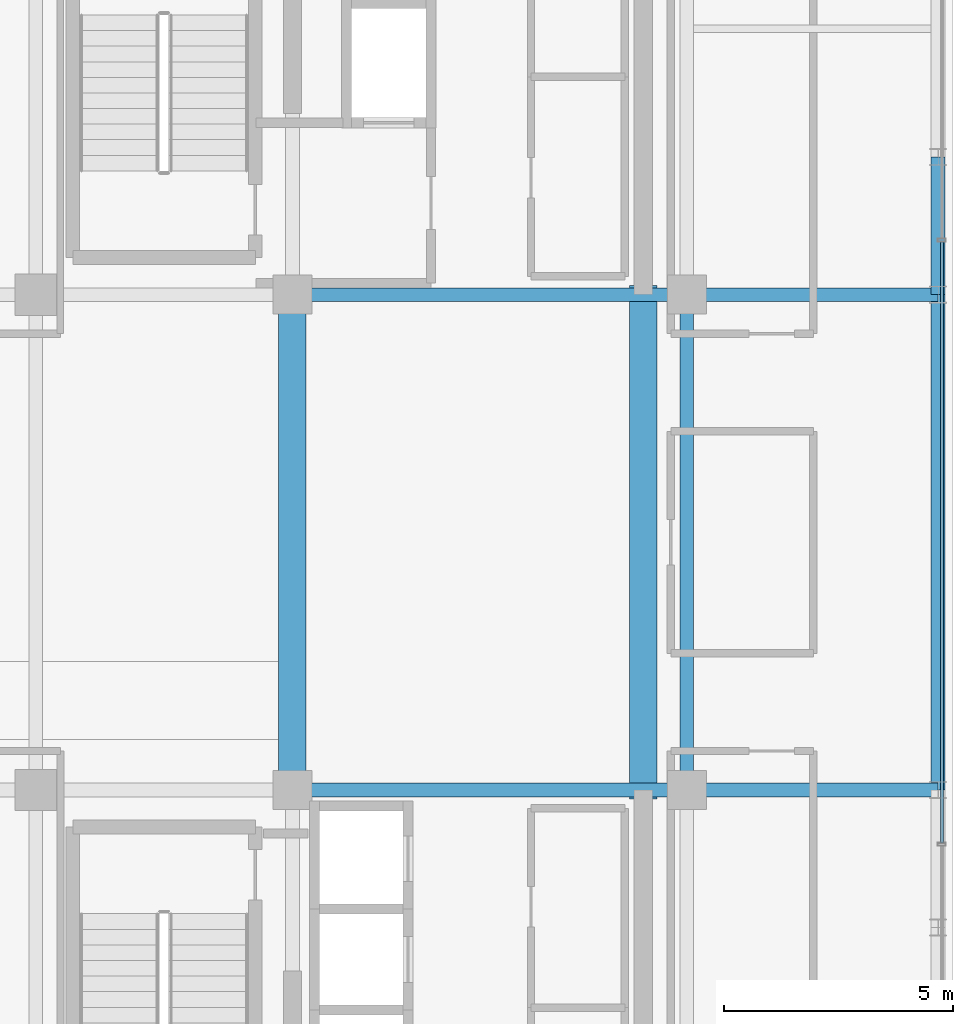
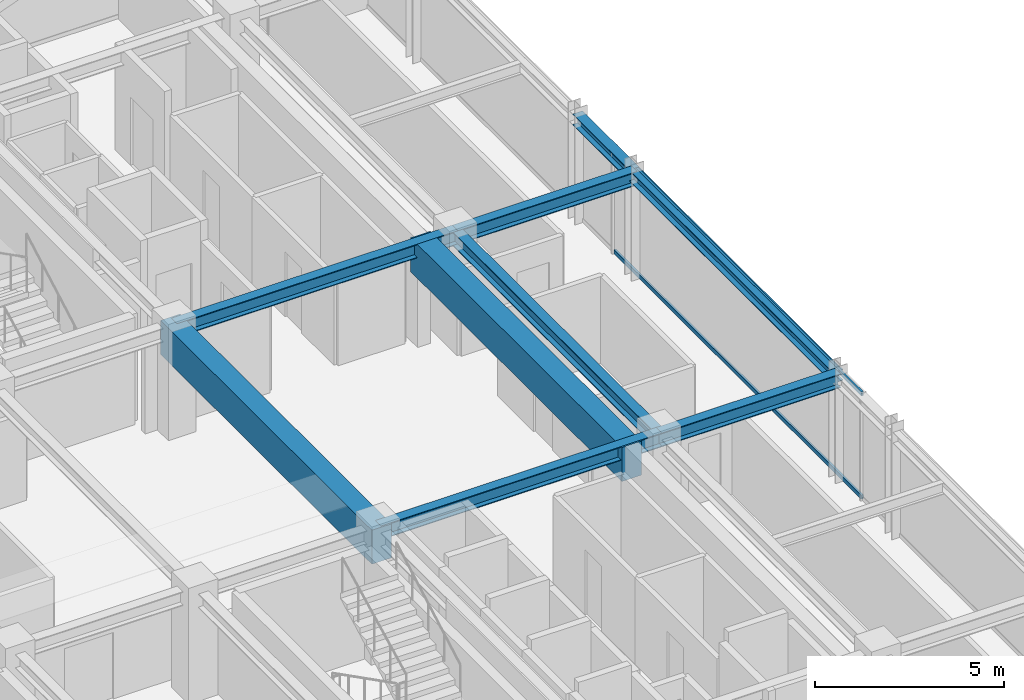
# One storey, part 15 of 34: 9 beams, 2 members, 1 element without a shape of its own.
"""IFC4 building model written with IfcOpenShell, lengths in metres."""

from ifc_helpers import new_model, si_unit, direction, frame, origin, origin_2d, place, context, subcontext, project, spatial, rectangle, hollow_rectangle, i_section, extrude, source, transform, mapped, material, material_profile, profile_set, type_object, element, aggregate, save


model = new_model("IFC4")

# Units and contexts
model_context = context("Model", 3, precision=1e-05, world=origin(), true_north=direction((0.0, 1.0)))
body_context = subcontext(model_context, "Body", "Model", "MODEL_VIEW")
ifc_project = project(units=[si_unit("LENGTHUNIT", "METRE"), si_unit("AREAUNIT", "SQUARE_METRE"), si_unit("VOLUMEUNIT", "CUBIC_METRE"), si_unit("PLANEANGLEUNIT", "RADIAN"), si_unit("MASSUNIT", "GRAM", prefix="KILO")], contexts=[model_context])

# Site, building, storey
site_placement = place(None, origin())
site = spatial("IfcSite", under=ifc_project, at=site_placement, CompositionType="ELEMENT")
building_placement = place(site_placement, origin())
building = spatial("IfcBuilding", under=site, at=building_placement, Name="Nahalor Promenade Grand Hotel", CompositionType="ELEMENT")
storey_placement = place(building_placement, frame((0.0, 0.0, 334.75)))
storey = spatial("IfcBuildingStorey", under=building, at=storey_placement, Name="L86", CompositionType="ELEMENT", Elevation=334.75)

# Beams
ifc_material_1 = material(Name="Concrete B-60 (C50/60)", Category="concrete")
ifc_material_profile_1 = material_profile(ifc_material_1, rectangle(XDim=0.6, YDim=1.1, at=origin_2d()), Name="RC 600x1100")
ifc_profile_set_1 = profile_set([ifc_material_profile_1], Name="Concrete B-60 (C50/60)")
beam_type_1 = type_object("IfcBeamType", Name="Beam-Lintel-RC1100", PredefinedType="LINTEL", material=ifc_profile_set_1)
shared_shape_1 = source(origin(), body_context, "Body", "SweptSolid", [
    extrude(rectangle(XDim=0.6, YDim=1.1, at=origin_2d()), origin(), (0.0, 0.0, 1.0), 11.2001953125),
])
for number, where, z_axis, x_axis, name in (
    (1, (8.39990234375, -5.60009765625, 2.919921875), (0.0, 1.0, 0.0), (-1.0, 0.0, 0.0), "BM-L86-LINT-W"),
    (2, (16.050048828125, -5.60009765625, 2.919921875), (0.0, 1.0, 0.0), (-1.0, 0.0, 0.0), "BM-L86-LINT-E"),
):
    element("IfcBeam", number, at=place(storey_placement, frame(where, z_axis=z_axis, x_axis=x_axis)), inside=storey, type_object=beam_type_1, Name=name, PredefinedType="LINTEL", context=body_context, shape_type="MappedRepresentation", body=[
        mapped(shared_shape_1, transform((0.0, 0.0, 0.0), scale=1.0)),
    ])
ifc_material_2 = material(Name="Steel S355JR", Category="steel")
ifc_material_profile_2 = material_profile(ifc_material_2, i_section(OverallWidth=0.3, OverallDepth=0.45, WebThickness=0.014, FlangeThickness=0.026, at=origin_2d()), Name="HEB 450")
ifc_profile_set_2 = profile_set([ifc_material_profile_2], Name="Steel S355JR")
beam_type_2 = type_object("IfcBeamType", Name="Beam-Girder-HEB450", PredefinedType="BEAM", material=ifc_profile_set_2)
shared_shape_2 = source(origin(), body_context, "Body", "SweptSolid", [
    extrude(i_section(OverallWidth=0.3, OverallDepth=0.45, WebThickness=0.014, FlangeThickness=0.026, at=origin_2d()), origin(), (0.0, 0.0, 1.0), 8.60009765625),
])
for number, where, z_axis, x_axis, name in (
    (3, (8.39990234375, -5.39990234375, 3.2451171875), (1.0, 0.0, 0.0), (0.0, 1.0, 0.0), "BM-L86-GX-1-5"),
    (4, (8.39990234375, 5.39990234375, 3.2451171875), (1.0, 0.0, 0.0), (0.0, 1.0, 0.0), "BM-L86-GX-2-5"),
):
    element("IfcBeam", number, at=place(storey_placement, frame(where, z_axis=z_axis, x_axis=x_axis)), inside=storey, type_object=beam_type_2, Name=name, PredefinedType="BEAM", context=body_context, shape_type="MappedRepresentation", body=[
        mapped(shared_shape_2, transform((0.0, 0.0, 0.0), scale=1.0)),
    ])
shared_shape_3 = source(origin(), body_context, "Body", "SweptSolid", [
    extrude(i_section(OverallWidth=0.3, OverallDepth=0.45, WebThickness=0.014, FlangeThickness=0.026, at=origin_2d()), origin(), (0.0, 0.0, 1.0), 10.7998046875),
])
beam_1_placement = place(storey_placement, frame((17.0, -5.39990234375, 3.2451171875), z_axis=(0.0, 1.0, 0.0), x_axis=(-1.0, 0.0, 0.0)))
element("IfcBeam", 5, at=beam_1_placement, inside=storey, type_object=beam_type_2, Name="BM-L86-GY-5-2", PredefinedType="BEAM", context=body_context, shape_type="MappedRepresentation", body=[
    mapped(shared_shape_3, transform((0.0, 0.0, 0.0), scale=1.0)),
])
shared_shape_4 = source(origin(), body_context, "Body", "SweptSolid", [
    extrude(i_section(OverallWidth=0.3, OverallDepth=0.45, WebThickness=0.014, FlangeThickness=0.026, at=origin_2d()), origin(), (0.0, 0.0, 1.0), 5.47998046875),
])
for number, where, z_axis, x_axis, name in (
    (6, (17.0, -5.39990234375, 3.2451171875), (1.0, 0.0, 0.0), (0.0, 1.0, 0.0), "BM-L86-GX-1-6"),
    (7, (17.0, 5.39990234375, 3.2451171875), (1.0, 0.0, 0.0), (0.0, 1.0, 0.0), "BM-L86-GX-2-6"),
):
    element("IfcBeam", number, at=place(storey_placement, frame(where, z_axis=z_axis, x_axis=x_axis)), inside=storey, type_object=beam_type_2, Name=name, PredefinedType="BEAM", context=body_context, shape_type="MappedRepresentation", body=[
        mapped(shared_shape_4, transform((0.0, 0.0, 0.0), scale=1.0)),
    ])
ifc_material_profile_3 = material_profile(ifc_material_2, i_section(OverallWidth=0.3, OverallDepth=0.36, WebThickness=0.0125, FlangeThickness=0.0225, at=origin_2d()), Name="HEB 360")
ifc_profile_set_3 = profile_set([ifc_material_profile_3], Name="Steel S355JR")
beam_type_3 = type_object("IfcBeamType", Name="Beam-Spandrel-HEB360", PredefinedType="SPANDREL", material=ifc_profile_set_3)
shared_shape_5 = source(origin(), body_context, "Body", "SweptSolid", [
    extrude(i_section(OverallWidth=0.3, OverallDepth=0.36, WebThickness=0.0125, FlangeThickness=0.0225, at=origin_2d()), origin(), (0.0, 0.0, 1.0), 3.0),
])
beam_2_placement = place(storey_placement, frame((22.47998046875, 5.39990234375, 3.2900390625), z_axis=(0.0, 1.0, 0.0), x_axis=(-1.0, 0.0, 0.0)))
element("IfcBeam", 8, at=beam_2_placement, inside=storey, type_object=beam_type_3, Name="BM-L86-SP-E-3", PredefinedType="SPANDREL", context=body_context, shape_type="MappedRepresentation", body=[
    mapped(shared_shape_5, transform((0.0, 0.0, 0.0), scale=1.0)),
])
shared_shape_6 = source(origin(), body_context, "Body", "SweptSolid", [
    extrude(i_section(OverallWidth=0.3, OverallDepth=0.36, WebThickness=0.0125, FlangeThickness=0.0225, at=origin_2d()), origin(), (0.0, 0.0, 1.0), 10.7998046875),
])
beam_3_placement = place(storey_placement, frame((22.47998046875, -5.39990234375, 3.2900390625), z_axis=(0.0, 1.0, 0.0), x_axis=(-1.0, 0.0, 0.0)))
element("IfcBeam", 9, at=beam_3_placement, inside=storey, type_object=beam_type_3, Name="BM-L86-SP-E-2", PredefinedType="SPANDREL", context=body_context, shape_type="MappedRepresentation", body=[
    mapped(shared_shape_6, transform((0.0, 0.0, 0.0), scale=1.0)),
])

# Curtain wall, members
ifc_material_3 = material(Name="Anodised Bronze Aluminium EN AW-6063 T6", Category="aluminium")
curtain_wall_type = type_object("IfcCurtainWallType", Name="CW2 Typical Hotel Flush Bronze Unitised Curtain Wall", PredefinedType="USERDEFINED", material=ifc_material_3)
curtain_wall_placement = place(storey_placement, origin())
curtain_wall = element("IfcCurtainWall", 10, at=curtain_wall_placement, inside=storey, type_object=curtain_wall_type, Name="L86 Curtain Wall CW-L86-E-1", ObjectType="UNITISED_CURTAIN_WALL", PredefinedType="USERDEFINED")
ifc_material_profile_4 = material_profile(ifc_material_3, hollow_rectangle(XDim=0.065, YDim=0.13, WallThickness=0.004, at=origin_2d()), Name="CWT 65x130x4")
ifc_profile_set_4 = profile_set([ifc_material_profile_4], Name="Anodised Bronze Aluminium EN AW-6063 T6")
member_type = type_object("IfcMemberType", Name="CWT2 Typical Bronze Transom 65x130", PredefinedType="USERDEFINED", material=ifc_profile_set_4)
shared_shape_7 = source(origin(), body_context, "Body", "SweptSolid", [
    extrude(hollow_rectangle(XDim=0.065, YDim=0.13, WallThickness=0.004, at=origin_2d()), origin(), (0.0, 0.0, 1.0), 13.1083984375),
])
member_1_placement = place(storey_placement, frame((22.56005859375, -6.55419921875, 0.06494140625), z_axis=(0.0, 1.0, 0.0), x_axis=(-1.0, 0.0, 0.0)))
member_1 = element("IfcMember", 11, at=member_1_placement, type_object=member_type, Name="CW-L86-E-1 Transom 1-0", ObjectType="TRANSOM", PredefinedType="USERDEFINED", context=body_context, shape_type="MappedRepresentation", body=[
    mapped(shared_shape_7, transform((0.0, 0.0, 0.0), scale=1.0)),
])
member_2_placement = place(storey_placement, frame((22.56005859375, -6.55419921875, 3.405029296875), z_axis=(0.0, 1.0, 0.0), x_axis=(-1.0, 0.0, 0.0)))
member_2 = element("IfcMember", 12, at=member_2_placement, type_object=member_type, Name="CW-L86-E-1 Transom 1-1", ObjectType="TRANSOM", PredefinedType="USERDEFINED", context=body_context, shape_type="MappedRepresentation", body=[
    mapped(shared_shape_7, transform((0.0, 0.0, 0.0), scale=1.0)),
])
aggregate(curtain_wall, [member_1, member_2])

save(model, "model.ifc")
